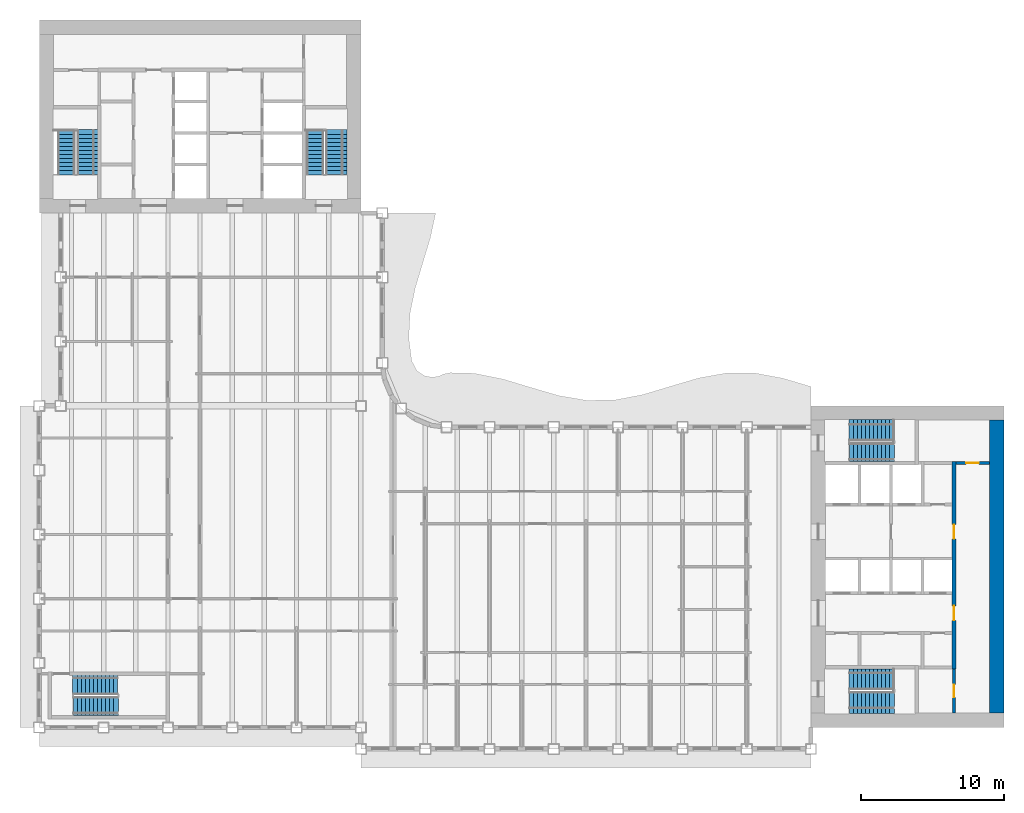
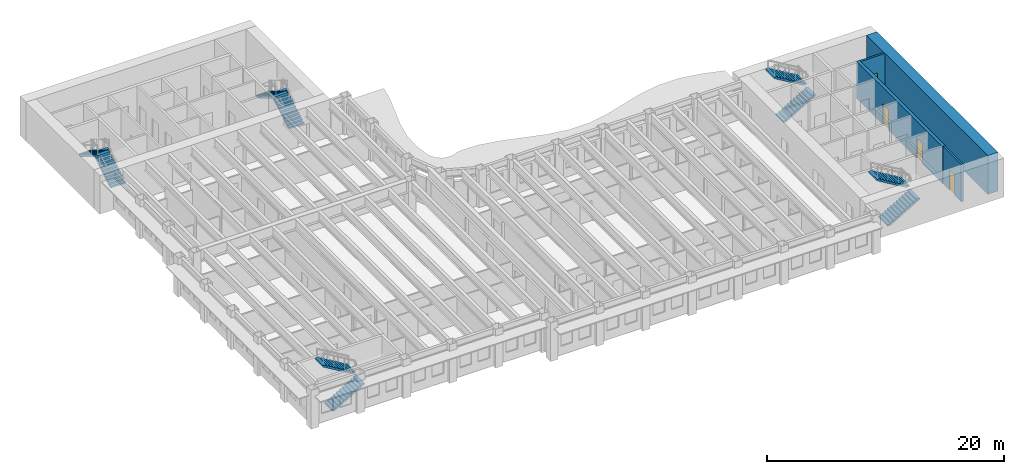
# One storey, part 11 of 17: 10 stair flights, 4 doors, 4 walls, 4 openings, 5 elements without a shape of their own.
"""IFC4 building model written with IfcOpenShell, lengths in metres."""

from ifc_helpers import new_model, si_unit, direction, frame, frame_2d, origin, place, context, subcontext, project, spatial, polyline, rectangle, outline, extrude, material, layer, layer_set, type_object, element, fill, aggregate, save


model = new_model("IFC4")

# Units and contexts
model_context = context("Model", 3, precision=1e-05, world=origin(), true_north=direction((0.0, 1.0)))
body_context = subcontext(model_context, "Body", "Model", "MODEL_VIEW")
ifc_project = project(units=[si_unit("LENGTHUNIT", "METRE"), si_unit("AREAUNIT", "SQUARE_METRE"), si_unit("VOLUMEUNIT", "CUBIC_METRE"), si_unit("PLANEANGLEUNIT", "RADIAN"), si_unit("MASSUNIT", "GRAM", prefix="KILO")], contexts=[model_context])

# Site, building, storey
site_placement = place(None, origin())
site = spatial("IfcSite", under=ifc_project, at=site_placement, CompositionType="ELEMENT")
building_placement = place(site_placement, origin())
building = spatial("IfcBuilding", under=site, at=building_placement, Name="Sennacour Bend Tower", CompositionType="ELEMENT")
storey_placement = place(building_placement, frame((0.0, 0.0, 219.0)))
storey = spatial("IfcBuildingStorey", under=building, at=storey_placement, Name="L50", CompositionType="ELEMENT", Elevation=219.0)

# Wall
ifc_material_1 = material(Name="Concrete C60/75", Category="concrete")
ifc_layer_1 = layer(ifc_material_1, 1.0, Name="Concrete C60/75", Category="concrete")
ifc_layer_set_1 = layer_set([ifc_layer_1], Name="Concrete C60/75")
wall_type_1 = type_object("IfcWallType", Name="Core wall 1000 C60/75", PredefinedType="SHEAR", material=ifc_layer_set_1)
wall_1_placement = place(storey_placement, frame((67.0, 1.0, -0.14990234375), z_axis=(0.0, 0.0, 1.0), x_axis=(0.0, 1.0, 0.0)))
element("IfcWall", 1, at=wall_1_placement, inside=storey, type_object=wall_type_1, Name="Core A wall L50 E", PredefinedType="SHEAR", context=body_context, shape_type="SweptSolid", body=[
    extrude(rectangle(XDim=20.5, YDim=1.0, at=frame_2d((10.25, 0.0))), origin(), (0.0, 0.0, 1.0), 4.0),
])

# Wall, opening, door
ifc_material_2 = material(Name="Fire-rated plasterboard partition on steel studs", Category="steel")
ifc_layer_2 = layer(ifc_material_2, 0.199951171875, Name="Fire-rated plasterboard partition on steel studs", Category="steel")
ifc_layer_set_2 = layer_set([ifc_layer_2], Name="Fire-rated plasterboard partition on steel studs")
wall_type_2 = type_object("IfcWallType", Name="Rated partition 200", PredefinedType="PARTITIONING", material=ifc_layer_set_2)
wall_2_placement = place(storey_placement, frame((64.0, 1.0, 0.0), z_axis=(0.0, 0.0, 1.0), x_axis=(0.0, 1.0, 0.0)))
wall_2 = element("IfcWall", 2, at=wall_2_placement, inside=storey, type_object=wall_type_2, Name="P-L50-W046", PredefinedType="PARTITIONING", context=body_context, shape_type="SweptSolid", body=[
    extrude(rectangle(XDim=3.10009765625, YDim=0.199951171875, at=frame_2d((1.550048828125, 0.0))), origin(), (0.0, 0.0, 1.0), 3.85009765625),
])
opening_1_placement = place(wall_2_placement, frame((1.10009765625, 0.0, 0.0)))
opening_1 = element("IfcOpeningElement", 3, at=opening_1_placement, cuts=wall_2, Name="Opening SV", PredefinedType="OPENING", context=body_context, shape_type="SweptSolid", body=[
    extrude(rectangle(XDim=0.89990234375, YDim=2.10009765625, at=frame_2d((0.449951171875, 1.050048828125))), frame((0.0, 0.10986328125, 0.0), z_axis=(0.0, -1.0, 0.0), x_axis=(1.0, 0.0, 0.0)), (0.0, 0.0, 1.0), 0.219970703125),
])
ifc_material_3 = material(Name="Painted steel", Category="steel")
door_type_1 = type_object("IfcDoorType", Name="DR-SERVICE-900", OperationType="NOTDEFINED", PredefinedType="DOOR", material=ifc_material_3)
door_1_placement = place(opening_1_placement, origin())
door_1 = element("IfcDoor", 4, at=door_1_placement, inside=storey, type_object=door_type_1, Name="Door", OperationType="SINGLE_SWING_LEFT", OverallHeight=2.10009765625, OverallWidth=0.89990234375, PredefinedType="DOOR", context=body_context, shape_type="SweptSolid", body=[
    extrude(rectangle(XDim=0.89990234375, YDim=2.10009765625, at=frame_2d((0.449951171875, 1.050048828125))), frame((0.0, 0.02490234375, 0.0), z_axis=(0.0, -1.0, 0.0), x_axis=(1.0, 0.0, 0.0)), (0.0, 0.0, 1.0), 0.050048828125),
])
fill(opening_1, door_1)

wall_3_placement = place(storey_placement, frame((64.14990234375, 18.5, 0.0), z_axis=(0.0, 0.0, 1.0), x_axis=(1.0, 0.0, 0.0)))
wall_3 = element("IfcWall", 5, at=wall_3_placement, inside=storey, type_object=wall_type_2, Name="P-L50-W071b", PredefinedType="PARTITIONING", context=body_context, shape_type="SweptSolid", body=[
    extrude(rectangle(XDim=2.35009765625, YDim=0.199951171875, at=frame_2d((1.175048828125, 0.0))), origin(), (0.0, 0.0, 1.0), 3.85009765625),
])
opening_2_placement = place(wall_3_placement, frame((0.7001953125, 0.0, 0.0)))
opening_2 = element("IfcOpeningElement", 6, at=opening_2_placement, cuts=wall_3, Name="Opening SV", PredefinedType="OPENING", context=body_context, shape_type="SweptSolid", body=[
    extrude(rectangle(XDim=0.89990234375, YDim=2.10009765625, at=frame_2d((0.449951171875, 1.050048828125))), frame((0.0, 0.10986328125, 0.0), z_axis=(0.0, -1.0, 0.0), x_axis=(1.0, 0.0, 0.0)), (0.0, 0.0, 1.0), 0.219970703125),
])
door_2_placement = place(opening_2_placement, origin())
door_2 = element("IfcDoor", 7, at=door_2_placement, inside=storey, type_object=door_type_1, Name="Door", OperationType="SINGLE_SWING_LEFT", OverallHeight=2.10009765625, OverallWidth=0.89990234375, PredefinedType="DOOR", context=body_context, shape_type="SweptSolid", body=[
    extrude(rectangle(XDim=0.89990234375, YDim=2.10009765625, at=frame_2d((0.449951171875, 1.050048828125))), frame((0.0, 0.02490234375, 0.0), z_axis=(0.0, -1.0, 0.0), x_axis=(1.0, 0.0, 0.0)), (0.0, 0.0, 1.0), 0.050048828125),
])
fill(opening_2, door_2)

# Wall, openings, doors
ifc_layer_3 = layer(ifc_material_1, 0.300048828125, Name="Concrete C60/75", Category="concrete")
ifc_layer_set_3 = layer_set([ifc_layer_3], Name="Concrete C60/75")
wall_type_3 = type_object("IfcWallType", Name="Spine wall 300", PredefinedType="SHEAR", material=ifc_layer_set_3)
wall_4_placement = place(storey_placement, frame((64.0, 4.10009765625, 0.0), z_axis=(0.0, 0.0, 1.0), x_axis=(0.0, 1.0, 0.0)))
wall_4 = element("IfcWall", 8, at=wall_4_placement, inside=storey, type_object=wall_type_3, Name="P-L50-W047", PredefinedType="SHEAR", context=body_context, shape_type="SweptSolid", body=[
    extrude(rectangle(XDim=14.5, YDim=0.300048828125, at=frame_2d((7.25, 0.0))), origin(), (0.0, 0.0, 1.0), 3.85009765625),
])
opening_3_placement = place(wall_4_placement, frame((3.39990234375, 0.0, 0.0)))
opening_3 = element("IfcOpeningElement", 9, at=opening_3_placement, cuts=wall_4, Name="Opening CD2", PredefinedType="OPENING", context=body_context, shape_type="SweptSolid", body=[
    extrude(rectangle(XDim=1.0, YDim=2.10009765625, at=frame_2d((0.5, 1.050048828125))), frame((0.0, 0.16015625, 0.0), z_axis=(0.0, -1.0, 0.0), x_axis=(1.0, 0.0, 0.0)), (0.0, 0.0, 1.0), 0.320068359375),
])
opening_4_placement = place(wall_4_placement, frame((9.099853515625, 0.0, 0.0)))
opening_4 = element("IfcOpeningElement", 10, at=opening_4_placement, cuts=wall_4, Name="Opening CD2", PredefinedType="OPENING", context=body_context, shape_type="SweptSolid", body=[
    extrude(rectangle(XDim=1.0, YDim=2.10009765625, at=frame_2d((0.5, 1.050048828125))), frame((0.0, 0.16015625, 0.0), z_axis=(0.0, -1.0, 0.0), x_axis=(1.0, 0.0, 0.0)), (0.0, 0.0, 1.0), 0.320068359375),
])
door_type_2 = type_object("IfcDoorType", Name="DR-LOBBY-1000", OperationType="NOTDEFINED", PredefinedType="DOOR", material=ifc_material_3)
door_3_placement = place(opening_3_placement, origin())
door_3 = element("IfcDoor", 11, at=door_3_placement, inside=storey, type_object=door_type_2, Name="Door", OperationType="SINGLE_SWING_LEFT", OverallHeight=2.10009765625, OverallWidth=1.0, PredefinedType="DOOR", context=body_context, shape_type="SweptSolid", body=[
    extrude(rectangle(XDim=1.0, YDim=2.10009765625, at=frame_2d((0.5, 1.050048828125))), frame((0.0, 0.02490234375, 0.0), z_axis=(0.0, -1.0, 0.0), x_axis=(1.0, 0.0, 0.0)), (0.0, 0.0, 1.0), 0.050048828125),
])
fill(opening_3, door_3)
door_4_placement = place(opening_4_placement, origin())
door_4 = element("IfcDoor", 12, at=door_4_placement, inside=storey, type_object=door_type_2, Name="Door", OperationType="SINGLE_SWING_RIGHT", OverallHeight=2.10009765625, OverallWidth=1.0, PredefinedType="DOOR", context=body_context, shape_type="SweptSolid", body=[
    extrude(rectangle(XDim=1.0, YDim=2.10009765625, at=frame_2d((0.5, 1.050048828125))), frame((0.0, 0.02490234375, 0.0), z_axis=(0.0, -1.0, 0.0), x_axis=(1.0, 0.0, 0.0)), (0.0, 0.0, 1.0), 0.050048828125),
])
fill(opening_4, door_4)

# Stair, stair flights
ifc_material_4 = material(Name="Concrete C40/50", Category="concrete")
stair_type = type_object("IfcStairType", Name="ST-DOGLEG", PredefinedType="HALF_TURN_STAIR", material=ifc_material_4)
stair_1_placement = place(storey_placement, origin())
stair_1 = element("IfcStair", 13, at=stair_1_placement, inside=storey, type_object=stair_type, Name="L50 Exit stair A1", PredefinedType="HALF_TURN_STAIR")
stair_flight_type = type_object("IfcStairFlightType", Name="SFL-RC", PredefinedType="STRAIGHT", material=ifc_material_4)
stair_flight_1_placement = place(storey_placement, frame((56.699951171875, 1.735107421875, 0.0), z_axis=(0.0, 0.0, 1.0), x_axis=(1.0, 0.0, 0.0)))
stair_flight_1 = element("IfcStairFlight", 14, at=stair_flight_1_placement, type_object=stair_flight_type, Name="SA1 flight 1", NumberOfRisers=12, NumberOfTreads=11, PredefinedType="STRAIGHT", RiserHeight=0.166666667, TreadLength=0.28, context=body_context, shape_type="SweptSolid", body=[
    extrude(outline(polyline([(0.0, 0.0), (0.0, 0.166748046875), (0.280029296875, 0.166748046875), (0.280029296875, 0.333251953125), (0.56005859375, 0.333251953125), (0.56005859375, 0.5), (0.840087890625, 0.5), (0.840087890625, 0.666748046875), (1.1201171875, 0.666748046875), (1.1201171875, 0.833251953125), (1.39990234375, 0.833251953125), (1.39990234375, 1.0), (1.679931640625, 1.0), (1.679931640625, 1.166748046875), (1.9599609375, 1.166748046875), (1.9599609375, 1.333251953125), (2.239990234375, 1.333251953125), (2.239990234375, 1.5), (2.52001953125, 1.5), (2.52001953125, 1.666748046875), (2.800048828125, 1.666748046875), (2.800048828125, 1.833251953125), (3.080078125, 1.833251953125), (3.139892578125, 1.833251953125), (3.139892578125, 1.658935546875), (3.080078125, 1.658935546875), (0.29296875, 0.0), (0.0, 0.0)])), frame((0.0, 0.76513671875, 0.0), z_axis=(0.0, -1.0, 0.0), x_axis=(1.0, 0.0, 0.0)), (0.0, 0.0, 1.0), 1.530029296875),
])
stair_flight_2_placement = place(storey_placement, frame((59.780029296875, 3.37744140625, 2.0), z_axis=(0.0, 0.0, 1.0), x_axis=(-1.0, 0.0, 0.0)))
stair_flight_2 = element("IfcStairFlight", 15, at=stair_flight_2_placement, type_object=stair_flight_type, Name="SA1 flight 2", NumberOfRisers=12, NumberOfTreads=11, PredefinedType="STRAIGHT", RiserHeight=0.166666667, TreadLength=0.28, context=body_context, shape_type="SweptSolid", body=[
    extrude(outline(polyline([(0.0, 0.0), (0.0, 0.166748046875), (0.280029296875, 0.166748046875), (0.280029296875, 0.333251953125), (0.56005859375, 0.333251953125), (0.56005859375, 0.5), (0.840087890625, 0.5), (0.840087890625, 0.666748046875), (1.1201171875, 0.666748046875), (1.1201171875, 0.833251953125), (1.39990234375, 0.833251953125), (1.39990234375, 1.0), (1.679931640625, 1.0), (1.679931640625, 1.166748046875), (1.9599609375, 1.166748046875), (1.9599609375, 1.333251953125), (2.239990234375, 1.333251953125), (2.239990234375, 1.5), (2.52001953125, 1.5), (2.52001953125, 1.666748046875), (2.800048828125, 1.666748046875), (2.800048828125, 1.833251953125), (3.080078125, 1.833251953125), (3.139892578125, 1.833251953125), (3.139892578125, 1.658935546875), (3.080078125, 1.658935546875), (0.29296875, 0.0), (0.0, 0.0)])), frame((0.0, 0.7275390625, 0.0), z_axis=(0.0, -1.0, 0.0), x_axis=(1.0, 0.0, 0.0)), (0.0, 0.0, 1.0), 1.455078125),
])
aggregate(stair_1, [stair_flight_1, stair_flight_2])

stair_2_placement = place(storey_placement, origin())
stair_2 = element("IfcStair", 16, at=stair_2_placement, inside=storey, type_object=stair_type, Name="L50 Exit stair A2", PredefinedType="HALF_TURN_STAIR")
stair_flight_3_placement = place(storey_placement, frame((56.699951171875, 19.24755859375, 0.0), z_axis=(0.0, 0.0, 1.0), x_axis=(1.0, 0.0, 0.0)))
stair_flight_3 = element("IfcStairFlight", 17, at=stair_flight_3_placement, type_object=stair_flight_type, Name="SA2 flight 1", NumberOfRisers=12, NumberOfTreads=11, PredefinedType="STRAIGHT", RiserHeight=0.166666667, TreadLength=0.28, context=body_context, shape_type="SweptSolid", body=[
    extrude(outline(polyline([(0.0, 0.0), (0.0, 0.166748046875), (0.280029296875, 0.166748046875), (0.280029296875, 0.333251953125), (0.56005859375, 0.333251953125), (0.56005859375, 0.5), (0.840087890625, 0.5), (0.840087890625, 0.666748046875), (1.1201171875, 0.666748046875), (1.1201171875, 0.833251953125), (1.39990234375, 0.833251953125), (1.39990234375, 1.0), (1.679931640625, 1.0), (1.679931640625, 1.166748046875), (1.9599609375, 1.166748046875), (1.9599609375, 1.333251953125), (2.239990234375, 1.333251953125), (2.239990234375, 1.5), (2.52001953125, 1.5), (2.52001953125, 1.666748046875), (2.800048828125, 1.666748046875), (2.800048828125, 1.833251953125), (3.080078125, 1.833251953125), (3.139892578125, 1.833251953125), (3.139892578125, 1.658935546875), (3.080078125, 1.658935546875), (0.29296875, 0.0), (0.0, 0.0)])), frame((0.0, 0.65234375, 0.0), z_axis=(0.0, -1.0, 0.0), x_axis=(1.0, 0.0, 0.0)), (0.0, 0.0, 1.0), 1.304931640625),
])
stair_flight_4_placement = place(storey_placement, frame((59.780029296875, 20.7900390625, 2.0), z_axis=(0.0, 0.0, 1.0), x_axis=(-1.0, 0.0, 0.0)))
stair_flight_4 = element("IfcStairFlight", 18, at=stair_flight_4_placement, type_object=stair_flight_type, Name="SA2 flight 2", NumberOfRisers=12, NumberOfTreads=11, PredefinedType="STRAIGHT", RiserHeight=0.166666667, TreadLength=0.28, context=body_context, shape_type="SweptSolid", body=[
    extrude(outline(polyline([(0.0, 0.0), (0.0, 0.166748046875), (0.280029296875, 0.166748046875), (0.280029296875, 0.333251953125), (0.56005859375, 0.333251953125), (0.56005859375, 0.5), (0.840087890625, 0.5), (0.840087890625, 0.666748046875), (1.1201171875, 0.666748046875), (1.1201171875, 0.833251953125), (1.39990234375, 0.833251953125), (1.39990234375, 1.0), (1.679931640625, 1.0), (1.679931640625, 1.166748046875), (1.9599609375, 1.166748046875), (1.9599609375, 1.333251953125), (2.239990234375, 1.333251953125), (2.239990234375, 1.5), (2.52001953125, 1.5), (2.52001953125, 1.666748046875), (2.800048828125, 1.666748046875), (2.800048828125, 1.833251953125), (3.080078125, 1.833251953125), (3.139892578125, 1.833251953125), (3.139892578125, 1.658935546875), (3.080078125, 1.658935546875), (0.29296875, 0.0), (0.0, 0.0)])), frame((0.0, 0.739990234375, 0.0), z_axis=(0.0, -1.0, 0.0), x_axis=(1.0, 0.0, 0.0)), (0.0, 0.0, 1.0), 1.47998046875),
])
aggregate(stair_2, [stair_flight_3, stair_flight_4])

stair_3_placement = place(storey_placement, origin())
stair_3 = element("IfcStair", 19, at=stair_3_placement, inside=storey, type_object=stair_type, Name="L50 Exit stair B1", PredefinedType="HALF_TURN_STAIR")
stair_flight_5_placement = place(storey_placement, frame((3.37744140625, 38.699951171875, 0.0), z_axis=(0.0, 0.0, 1.0), x_axis=(0.0, 1.0, 0.0)))
stair_flight_5 = element("IfcStairFlight", 20, at=stair_flight_5_placement, type_object=stair_flight_type, Name="SB1 flight 1", NumberOfRisers=12, NumberOfTreads=11, PredefinedType="STRAIGHT", RiserHeight=0.166666667, TreadLength=0.28, context=body_context, shape_type="SweptSolid", body=[
    extrude(outline(polyline([(0.0, 0.0), (0.0, 0.166748046875), (0.280029296875, 0.166748046875), (0.280029296875, 0.333251953125), (0.56005859375, 0.333251953125), (0.56005859375, 0.5), (0.840087890625, 0.5), (0.840087890625, 0.666748046875), (1.1201171875, 0.666748046875), (1.1201171875, 0.833251953125), (1.39990234375, 0.833251953125), (1.39990234375, 1.0), (1.679931640625, 1.0), (1.679931640625, 1.166748046875), (1.9599609375, 1.166748046875), (1.9599609375, 1.333251953125), (2.239990234375, 1.333251953125), (2.239990234375, 1.5), (2.52001953125, 1.5), (2.52001953125, 1.666748046875), (2.800048828125, 1.666748046875), (2.800048828125, 1.833251953125), (3.080078125, 1.833251953125), (3.139892578125, 1.833251953125), (3.139892578125, 1.658935546875), (3.080078125, 1.658935546875), (0.29296875, 0.0), (0.0, 0.0)])), frame((0.0, 0.7275390625, 0.0), z_axis=(0.0, -1.0, 0.0), x_axis=(1.0, 0.0, 0.0)), (0.0, 0.0, 1.0), 1.455078125),
])
stair_flight_6_placement = place(storey_placement, frame((1.89990234375, 41.780029296875, 2.0), z_axis=(0.0, 0.0, 1.0), x_axis=(0.0, -1.0, 0.0)))
stair_flight_6 = element("IfcStairFlight", 21, at=stair_flight_6_placement, type_object=stair_flight_type, Name="SB1 flight 2", NumberOfRisers=12, NumberOfTreads=11, PredefinedType="STRAIGHT", RiserHeight=0.166666667, TreadLength=0.28, context=body_context, shape_type="SweptSolid", body=[
    extrude(outline(polyline([(0.0, 0.0), (0.0, 0.166748046875), (0.280029296875, 0.166748046875), (0.280029296875, 0.333251953125), (0.56005859375, 0.333251953125), (0.56005859375, 0.5), (0.840087890625, 0.5), (0.840087890625, 0.666748046875), (1.1201171875, 0.666748046875), (1.1201171875, 0.833251953125), (1.39990234375, 0.833251953125), (1.39990234375, 1.0), (1.679931640625, 1.0), (1.679931640625, 1.166748046875), (1.9599609375, 1.166748046875), (1.9599609375, 1.333251953125), (2.239990234375, 1.333251953125), (2.239990234375, 1.5), (2.52001953125, 1.5), (2.52001953125, 1.666748046875), (2.800048828125, 1.666748046875), (2.800048828125, 1.833251953125), (3.080078125, 1.833251953125), (3.139892578125, 1.833251953125), (3.139892578125, 1.658935546875), (3.080078125, 1.658935546875), (0.29296875, 0.0), (0.0, 0.0)])), frame((0.0, 0.60009765625, 0.0), z_axis=(0.0, -1.0, 0.0), x_axis=(1.0, 0.0, 0.0)), (0.0, 0.0, 1.0), 1.199951171875),
])
aggregate(stair_3, [stair_flight_5, stair_flight_6])

stair_4_placement = place(storey_placement, origin())
stair_4 = element("IfcStair", 22, at=stair_4_placement, inside=storey, type_object=stair_type, Name="L50 Exit stair B2", PredefinedType="HALF_TURN_STAIR")
stair_flight_7_placement = place(storey_placement, frame((20.7900390625, 38.699951171875, 0.0), z_axis=(0.0, 0.0, 1.0), x_axis=(0.0, 1.0, 0.0)))
stair_flight_7 = element("IfcStairFlight", 23, at=stair_flight_7_placement, type_object=stair_flight_type, Name="SB2 flight 1", NumberOfRisers=12, NumberOfTreads=11, PredefinedType="STRAIGHT", RiserHeight=0.166666667, TreadLength=0.28, context=body_context, shape_type="SweptSolid", body=[
    extrude(outline(polyline([(0.0, 0.0), (0.0, 0.166748046875), (0.280029296875, 0.166748046875), (0.280029296875, 0.333251953125), (0.56005859375, 0.333251953125), (0.56005859375, 0.5), (0.840087890625, 0.5), (0.840087890625, 0.666748046875), (1.1201171875, 0.666748046875), (1.1201171875, 0.833251953125), (1.39990234375, 0.833251953125), (1.39990234375, 1.0), (1.679931640625, 1.0), (1.679931640625, 1.166748046875), (1.9599609375, 1.166748046875), (1.9599609375, 1.333251953125), (2.239990234375, 1.333251953125), (2.239990234375, 1.5), (2.52001953125, 1.5), (2.52001953125, 1.666748046875), (2.800048828125, 1.666748046875), (2.800048828125, 1.833251953125), (3.080078125, 1.833251953125), (3.139892578125, 1.833251953125), (3.139892578125, 1.658935546875), (3.080078125, 1.658935546875), (0.29296875, 0.0), (0.0, 0.0)])), frame((0.0, 0.739990234375, 0.0), z_axis=(0.0, -1.0, 0.0), x_axis=(1.0, 0.0, 0.0)), (0.0, 0.0, 1.0), 1.47998046875),
])
stair_flight_8_placement = place(storey_placement, frame((19.24755859375, 41.780029296875, 2.0), z_axis=(0.0, 0.0, 1.0), x_axis=(0.0, -1.0, 0.0)))
stair_flight_8 = element("IfcStairFlight", 24, at=stair_flight_8_placement, type_object=stair_flight_type, Name="SB2 flight 2", NumberOfRisers=12, NumberOfTreads=11, PredefinedType="STRAIGHT", RiserHeight=0.166666667, TreadLength=0.28, context=body_context, shape_type="SweptSolid", body=[
    extrude(outline(polyline([(0.0, 0.0), (0.0, 0.166748046875), (0.280029296875, 0.166748046875), (0.280029296875, 0.333251953125), (0.56005859375, 0.333251953125), (0.56005859375, 0.5), (0.840087890625, 0.5), (0.840087890625, 0.666748046875), (1.1201171875, 0.666748046875), (1.1201171875, 0.833251953125), (1.39990234375, 0.833251953125), (1.39990234375, 1.0), (1.679931640625, 1.0), (1.679931640625, 1.166748046875), (1.9599609375, 1.166748046875), (1.9599609375, 1.333251953125), (2.239990234375, 1.333251953125), (2.239990234375, 1.5), (2.52001953125, 1.5), (2.52001953125, 1.666748046875), (2.800048828125, 1.666748046875), (2.800048828125, 1.833251953125), (3.080078125, 1.833251953125), (3.139892578125, 1.833251953125), (3.139892578125, 1.658935546875), (3.080078125, 1.658935546875), (0.29296875, 0.0), (0.0, 0.0)])), frame((0.0, 0.65234375, 0.0), z_axis=(0.0, -1.0, 0.0), x_axis=(1.0, 0.0, 0.0)), (0.0, 0.0, 1.0), 1.304931640625),
])
aggregate(stair_4, [stair_flight_7, stair_flight_8])

stair_5_placement = place(storey_placement, origin())
stair_5 = element("IfcStair", 25, at=stair_5_placement, inside=storey, type_object=stair_type, Name="L50 Exit stair K1", PredefinedType="HALF_TURN_STAIR")
stair_flight_9_placement = place(storey_placement, frame((2.39990234375, 1.485107421875, 0.0), z_axis=(0.0, 0.0, 1.0), x_axis=(1.0, 0.0, 0.0)))
stair_flight_9 = element("IfcStairFlight", 26, at=stair_flight_9_placement, type_object=stair_flight_type, Name="SK1 flight 1", NumberOfRisers=12, NumberOfTreads=11, PredefinedType="STRAIGHT", RiserHeight=0.166666667, TreadLength=0.28, context=body_context, shape_type="SweptSolid", body=[
    extrude(outline(polyline([(0.0, 0.0), (0.0, 0.166748046875), (0.280029296875, 0.166748046875), (0.280029296875, 0.333251953125), (0.56005859375, 0.333251953125), (0.56005859375, 0.5), (0.840087890625, 0.5), (0.840087890625, 0.666748046875), (1.1201171875, 0.666748046875), (1.1201171875, 0.833251953125), (1.39990234375, 0.833251953125), (1.39990234375, 1.0), (1.679931640625, 1.0), (1.679931640625, 1.166748046875), (1.9599609375, 1.166748046875), (1.9599609375, 1.333251953125), (2.239990234375, 1.333251953125), (2.239990234375, 1.5), (2.52001953125, 1.5), (2.52001953125, 1.666748046875), (2.800048828125, 1.666748046875), (2.800048828125, 1.833251953125), (3.080078125, 1.833251953125), (3.139892578125, 1.833251953125), (3.139892578125, 1.658935546875), (3.080078125, 1.658935546875), (0.29296875, 0.0), (0.0, 0.0)])), frame((0.0, 0.6650390625, 0.0), z_axis=(0.0, -1.0, 0.0), x_axis=(1.0, 0.0, 0.0)), (0.0, 0.0, 1.0), 1.330078125),
])
stair_flight_10_placement = place(storey_placement, frame((5.47998046875, 2.9775390625, 2.0), z_axis=(0.0, 0.0, 1.0), x_axis=(-1.0, 0.0, 0.0)))
stair_flight_10 = element("IfcStairFlight", 27, at=stair_flight_10_placement, type_object=stair_flight_type, Name="SK1 flight 2", NumberOfRisers=12, NumberOfTreads=11, PredefinedType="STRAIGHT", RiserHeight=0.166666667, TreadLength=0.28, context=body_context, shape_type="SweptSolid", body=[
    extrude(outline(polyline([(0.0, 0.0), (0.0, 0.166748046875), (0.280029296875, 0.166748046875), (0.280029296875, 0.333251953125), (0.56005859375, 0.333251953125), (0.56005859375, 0.5), (0.840087890625, 0.5), (0.840087890625, 0.666748046875), (1.1201171875, 0.666748046875), (1.1201171875, 0.833251953125), (1.39990234375, 0.833251953125), (1.39990234375, 1.0), (1.679931640625, 1.0), (1.679931640625, 1.166748046875), (1.9599609375, 1.166748046875), (1.9599609375, 1.333251953125), (2.239990234375, 1.333251953125), (2.239990234375, 1.5), (2.52001953125, 1.5), (2.52001953125, 1.666748046875), (2.800048828125, 1.666748046875), (2.800048828125, 1.833251953125), (3.080078125, 1.833251953125), (3.139892578125, 1.833251953125), (3.139892578125, 1.658935546875), (3.080078125, 1.658935546875), (0.29296875, 0.0), (0.0, 0.0)])), frame((0.0, 0.677490234375, 0.0), z_axis=(0.0, -1.0, 0.0), x_axis=(1.0, 0.0, 0.0)), (0.0, 0.0, 1.0), 1.35498046875),
])
aggregate(stair_5, [stair_flight_9, stair_flight_10])

save(model, "model.ifc")
